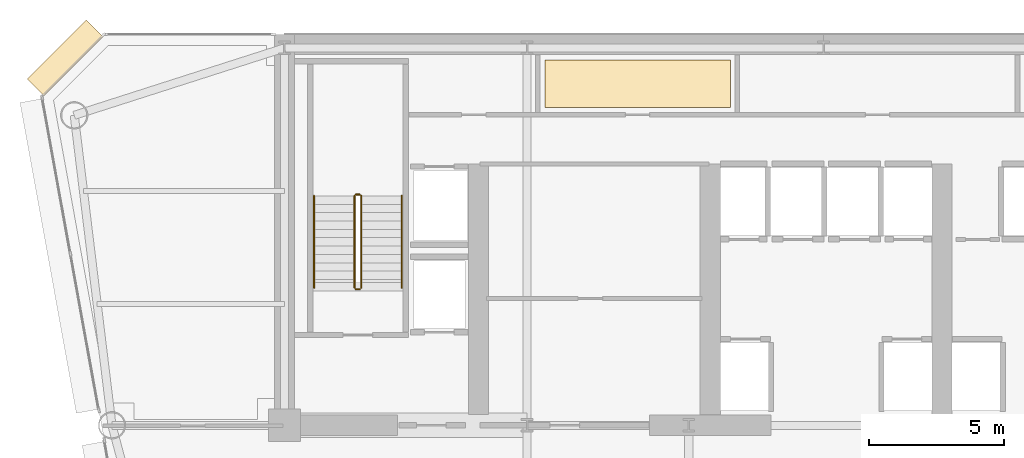
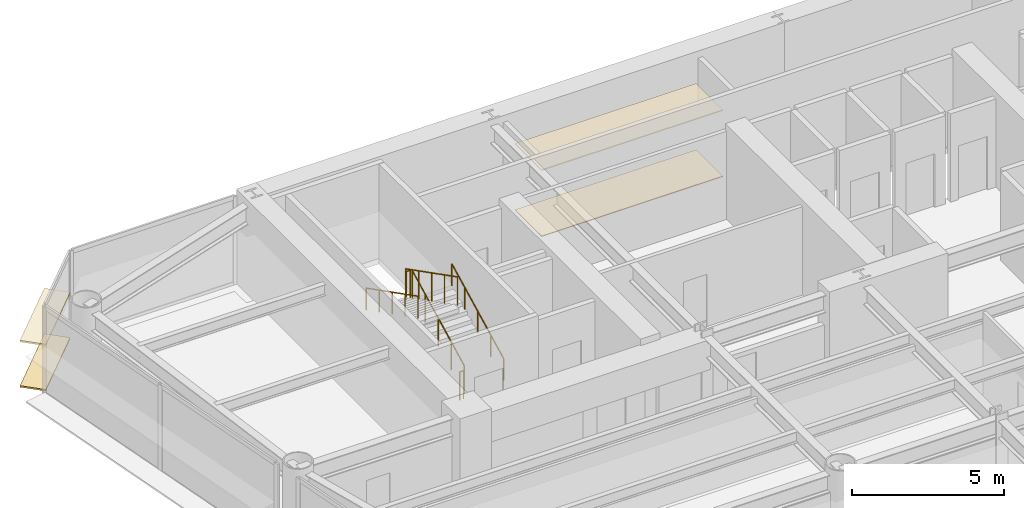
# One storey, part 12 of 14: 6 railings, 4 coverings.
"""IFC4 building model written with IfcOpenShell, lengths in metres."""

from ifc_helpers import new_model, si_unit, direction, frame, origin, origin_2d, place, context, subcontext, project, spatial, polyline, rectangle, circle, outline, extrude, source, transform, mapped, material, layer, layer_set, type_object, element, save


model = new_model("IFC4")

# Units and contexts
model_context = context("Model", 3, precision=1e-05, world=origin(), true_north=direction((0.0, 1.0)))
body_context = subcontext(model_context, "Body", "Model", "MODEL_VIEW")
ifc_project = project(units=[si_unit("LENGTHUNIT", "METRE"), si_unit("AREAUNIT", "SQUARE_METRE"), si_unit("VOLUMEUNIT", "CUBIC_METRE"), si_unit("PLANEANGLEUNIT", "RADIAN"), si_unit("MASSUNIT", "GRAM", prefix="KILO")], contexts=[model_context])

# Site, building, storey
site_placement = place(None, origin())
site = spatial("IfcSite", under=ifc_project, at=site_placement, CompositionType="ELEMENT")
building_placement = place(site_placement, origin())
building = spatial("IfcBuilding", under=site, at=building_placement, Name="Vaeldorn Concourse Tower", CompositionType="ELEMENT")
storey_placement = place(building_placement, frame((0.0, 0.0, 145.199951171875)))
storey = spatial("IfcBuildingStorey", under=building, at=storey_placement, Name="L37", CompositionType="ELEMENT", Elevation=145.199951171875)

# Coverings
ifc_material_1 = material(Name="Acoustic Mineral Fibre Board", Category="gypsum")
ifc_layer_1 = layer(ifc_material_1, 0.0400390625)
ifc_layer_set_1 = layer_set([ifc_layer_1], Name="Acoustic Mineral Fibre Board")
covering_type_1 = type_object("IfcCoveringType", Name="COV-CEIL-ACOUSTIC", PredefinedType="CEILING", material=ifc_layer_set_1)
covering_1_placement = place(storey_placement, frame((0.0, 0.0, 2.650146484375)))
element("IfcCovering", 1, at=covering_1_placement, inside=storey, type_object=covering_type_1, Name="Suspended Acoustic Ceiling L37-2", PredefinedType="CEILING", context=body_context, shape_type="SweptSolid", body=[
    extrude(outline(polyline([(30.5400390625, 50.050048828125), (30.5400390625, 48.300048828125), (23.659912109375, 48.300048828125), (23.659912109375, 50.050048828125), (30.5400390625, 50.050048828125)])), origin(), (0.0, 0.0, 1.0), 0.039794921875),
])
ifc_material_2 = material(Name="Honed Limestone Terrazzo Flooring", Category="masonry")
ifc_layer_2 = layer(ifc_material_2, 0.0400390625)
ifc_layer_set_2 = layer_set([ifc_layer_2], Name="Honed Limestone Terrazzo Flooring")
covering_type_2 = type_object("IfcCoveringType", Name="COV-FLOOR-STONE", PredefinedType="FLOORING", material=ifc_layer_set_2)
covering_2_placement = place(storey_placement, origin())
element("IfcCovering", 2, at=covering_2_placement, inside=storey, type_object=covering_type_2, Name="Floor Finish Covering L37-2", PredefinedType="FLOORING", context=body_context, shape_type="SweptSolid", body=[
    extrude(outline(polyline([(30.5400390625, 50.050048828125), (30.5400390625, 48.300048828125), (23.659912109375, 48.300048828125), (23.659912109375, 50.050048828125), (30.5400390625, 50.050048828125)])), origin(), (0.0, 0.0, 1.0), 0.030029296875),
])

# Railings
ifc_material_3 = material(Name="Anodised Bronze Aluminium", Category="aluminium")
railing_type_1 = type_object("IfcRailingType", Name="RL-STAIR-GUARD", PredefinedType="GUARDRAIL", material=ifc_material_3)
railing_1_placement = place(storey_placement, frame((16.85009765625, 41.60009765625, 0.158447265625)))
element("IfcRailing", 3, at=railing_1_placement, inside=storey, type_object=railing_type_1, Name="L37 ST-1 stair guard 1", PredefinedType="GUARDRAIL", context=body_context, shape_type="SweptSolid", body=[
    extrude(circle(Radius=0.02392578125, at=origin_2d()), frame((0.0, 0.0, 1.1259765625), z_axis=(0.0, 0.890555807335, 0.454873997962), x_axis=(-1.0, 0.0, 0.0)), (0.0, 0.0, 1.0), 3.828857421875),
    extrude(circle(Radius=0.02099609375, at=origin_2d()), origin(), (0.0, 0.0, 1.0), 1.101806640625),
    extrude(circle(Radius=0.02099609375, at=origin_2d()), frame((0.0, 0.8525390625, 0.435546875)), (0.0, 0.0, 1.0), 1.101806640625),
    extrude(circle(Radius=0.02099609375, at=origin_2d()), frame((0.0, 1.705078125, 0.870849609375)), (0.0, 0.0, 1.0), 1.101806640625),
    extrude(circle(Radius=0.02099609375, at=origin_2d()), frame((0.0, 2.557373046875, 1.30615234375)), (0.0, 0.0, 1.0), 1.101806640625),
    extrude(circle(Radius=0.02099609375, at=origin_2d()), frame((0.0, 3.409912109375, 1.74169921875)), (0.0, 0.0, 1.0), 1.101806640625),
])
railing_2_placement = place(storey_placement, frame((16.800048828125, 45.06005859375, 1.900146484375)))
element("IfcRailing", 4, at=railing_2_placement, inside=storey, type_object=railing_type_1, Name="L37 ST-1 stair guard 2", PredefinedType="GUARDRAIL", context=body_context, shape_type="SweptSolid", body=[
    extrude(circle(Radius=0.02392578125, at=origin_2d()), frame((0.0, 0.0, 1.1259765625), z_axis=(-1.0, 0.0, 0.0), x_axis=(0.0, -1.0, 0.0)), (0.0, 0.0, 1.0), 0.150146484375),
    extrude(circle(Radius=0.02099609375, at=origin_2d()), origin(), (0.0, 0.0, 1.0), 1.101806640625),
    extrude(circle(Radius=0.02099609375, at=origin_2d()), frame((-0.150146484375, 0.0, 0.0)), (0.0, 0.0, 1.0), 1.101806640625),
])
railing_3_placement = place(storey_placement, frame((16.60009765625, 45.010009765625, 2.058349609375)))
element("IfcRailing", 5, at=railing_3_placement, inside=storey, type_object=railing_type_1, Name="L37 ST-1 stair guard 3", PredefinedType="GUARDRAIL", context=body_context, shape_type="SweptSolid", body=[
    extrude(circle(Radius=0.02392578125, at=origin_2d()), frame((0.0, 0.0, 1.1259765625), z_axis=(0.0, -0.890555807335, 0.454873997962), x_axis=(1.0, 0.0, 0.0)), (0.0, 0.0, 1.0), 3.828857421875),
    extrude(circle(Radius=0.02099609375, at=origin_2d()), origin(), (0.0, 0.0, 1.0), 1.101806640625),
    extrude(circle(Radius=0.02099609375, at=origin_2d()), frame((0.0, -0.8525390625, 0.435546875)), (0.0, 0.0, 1.0), 1.101806640625),
    extrude(circle(Radius=0.02099609375, at=origin_2d()), frame((0.0, -1.705078125, 0.870849609375)), (0.0, 0.0, 1.0), 1.101806640625),
    extrude(circle(Radius=0.02099609375, at=origin_2d()), frame((0.0, -2.557373046875, 1.30615234375)), (0.0, 0.0, 1.0), 1.101806640625),
    extrude(circle(Radius=0.02099609375, at=origin_2d()), frame((0.0, -3.409912109375, 1.74169921875)), (0.0, 0.0, 1.0), 1.101806640625),
])
railing_4_placement = place(storey_placement, frame((16.800048828125, 41.550048828125, 0.0)))
element("IfcRailing", 6, at=railing_4_placement, inside=storey, type_object=railing_type_1, Name="L37 ST-1 stair guard 4", PredefinedType="GUARDRAIL", context=body_context, shape_type="SweptSolid", body=[
    extrude(circle(Radius=0.02392578125, at=origin_2d()), frame((0.0, 0.0, 1.1259765625), z_axis=(-1.0, 0.0, 0.0), x_axis=(0.0, -1.0, 0.0)), (0.0, 0.0, 1.0), 0.150146484375),
    extrude(circle(Radius=0.02099609375, at=origin_2d()), origin(), (0.0, 0.0, 1.0), 1.101806640625),
    extrude(circle(Radius=0.02099609375, at=origin_2d()), frame((-0.150146484375, 0.0, 0.0)), (0.0, 0.0, 1.0), 1.101806640625),
])
railing_type_2 = type_object("IfcRailingType", Name="RL-STAIR-HANDRAIL", PredefinedType="HANDRAIL", material=ifc_material_3)
railing_5_placement = place(storey_placement, frame((18.35009765625, 41.60009765625, 0.158447265625)))
element("IfcRailing", 7, at=railing_5_placement, inside=storey, type_object=railing_type_2, Name="L37 ST-1 stair handrail 1", PredefinedType="HANDRAIL", context=body_context, shape_type="SweptSolid", body=[
    extrude(circle(Radius=0.02392578125, at=origin_2d()), frame((0.0, 0.0, 0.8759765625), z_axis=(0.0, 0.890555807335, 0.454873997962), x_axis=(-1.0, 0.0, 0.0)), (0.0, 0.0, 1.0), 3.828857421875),
    extrude(circle(Radius=0.02099609375, at=origin_2d()), origin(), (0.0, 0.0, 1.0), 0.851806640625),
    extrude(circle(Radius=0.02099609375, at=origin_2d()), frame((0.0, 0.8525390625, 0.435546875)), (0.0, 0.0, 1.0), 0.851806640625),
    extrude(circle(Radius=0.02099609375, at=origin_2d()), frame((0.0, 1.705078125, 0.870849609375)), (0.0, 0.0, 1.0), 0.851806640625),
    extrude(circle(Radius=0.02099609375, at=origin_2d()), frame((0.0, 2.557373046875, 1.30615234375)), (0.0, 0.0, 1.0), 0.851806640625),
    extrude(circle(Radius=0.02099609375, at=origin_2d()), frame((0.0, 3.409912109375, 1.74169921875)), (0.0, 0.0, 1.0), 0.851806640625),
])
railing_6_placement = place(storey_placement, frame((15.10009765625, 45.010009765625, 2.058349609375)))
element("IfcRailing", 8, at=railing_6_placement, inside=storey, type_object=railing_type_2, Name="L37 ST-1 stair handrail 2", PredefinedType="HANDRAIL", context=body_context, shape_type="SweptSolid", body=[
    extrude(circle(Radius=0.02392578125, at=origin_2d()), frame((0.0, 0.0, 0.8759765625), z_axis=(0.0, -0.890555807335, 0.454873997962), x_axis=(1.0, 0.0, 0.0)), (0.0, 0.0, 1.0), 3.828857421875),
    extrude(circle(Radius=0.02099609375, at=origin_2d()), origin(), (0.0, 0.0, 1.0), 0.851806640625),
    extrude(circle(Radius=0.02099609375, at=origin_2d()), frame((0.0, -0.8525390625, 0.435546875)), (0.0, 0.0, 1.0), 0.851806640625),
    extrude(circle(Radius=0.02099609375, at=origin_2d()), frame((0.0, -1.705078125, 0.870849609375)), (0.0, 0.0, 1.0), 0.851806640625),
    extrude(circle(Radius=0.02099609375, at=origin_2d()), frame((0.0, -2.557373046875, 1.30615234375)), (0.0, 0.0, 1.0), 0.851806640625),
    extrude(circle(Radius=0.02099609375, at=origin_2d()), frame((0.0, -3.409912109375, 1.74169921875)), (0.0, 0.0, 1.0), 0.851806640625),
])

# Coverings
ifc_layer_3 = layer(ifc_material_3, 0.06494140625)
ifc_layer_set_3 = layer_set([ifc_layer_3], Name="Anodised Bronze Aluminium")
covering_type_3 = type_object("IfcCoveringType", Name="SD-BRONZE-SUNSHADE", PredefinedType="USERDEFINED", material=ifc_layer_set_3)
shared_shape = source(origin(), body_context, "Body", "SweptSolid", [
    extrude(rectangle(XDim=3.0927734375, YDim=0.8798828125, at=origin_2d()), origin(), (0.0, 0.0, 1.0), 0.06494140625),
])
for number, where, z_axis, x_axis, name in (
    (9, (5.8671875, 50.1328125, 0.047607421875), (0.0, 0.0, 1.0), (-0.707106781187, -0.707106781187, 0.0), "Horizontal Bronze Sunshade L37-E10.1.1"),
    (10, (5.8671875, 50.1328125, 1.86767578125), (0.0, 0.0, 1.0), (-0.707106781187, -0.707106781187, 0.0), "Horizontal Bronze Sunshade L37-E10.1.2"),
):
    element("IfcCovering", number, at=place(storey_placement, frame(where, z_axis=z_axis, x_axis=x_axis)), inside=storey, type_object=covering_type_3, Name=name, ObjectType="SUNSHADE", PredefinedType="USERDEFINED", context=body_context, shape_type="MappedRepresentation", body=[
        mapped(shared_shape, transform((0.0, 0.0, 0.0), scale=1.0)),
    ])

save(model, "model.ifc")
